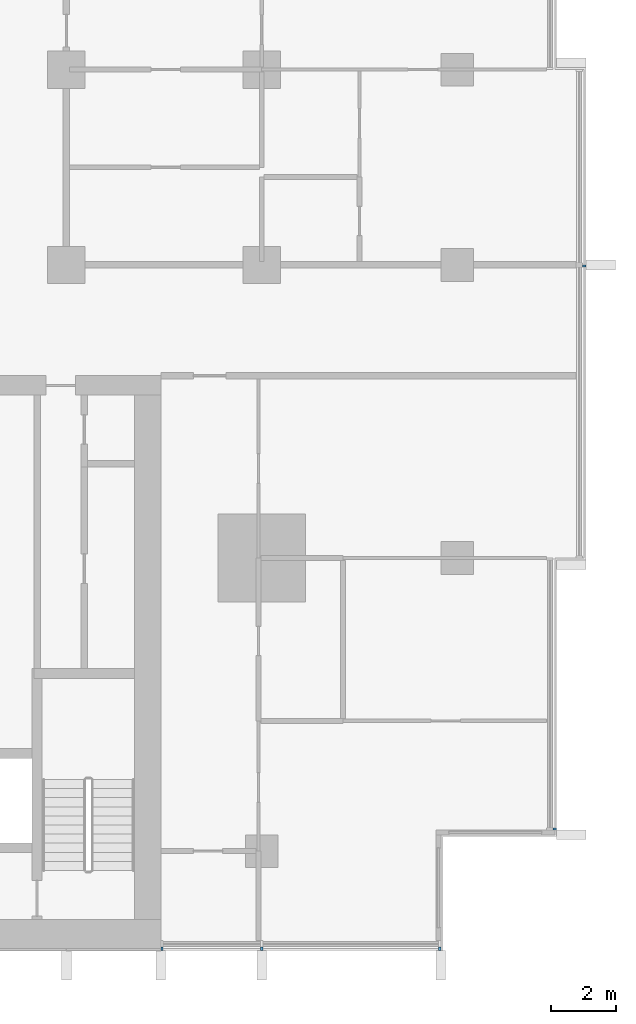
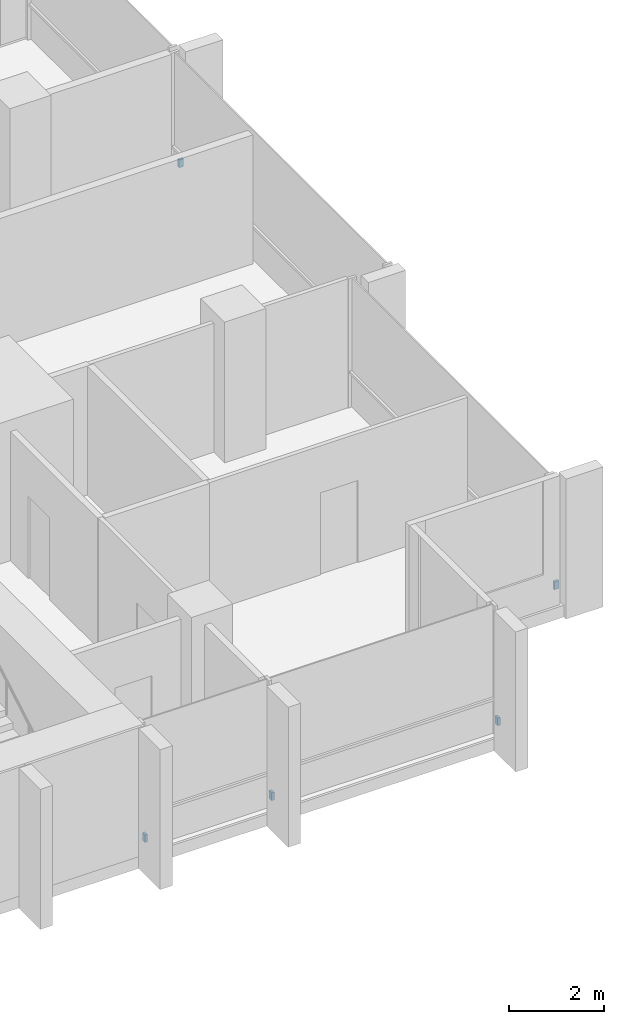
# One storey, part 14 of 17: 5 discrete accessories.
"""IFC4 building model written with IfcOpenShell, lengths in metres."""

from ifc_helpers import new_model, si_unit, direction, frame, origin, origin_2d, place, context, subcontext, project, spatial, rectangle, extrude, material, type_object, element, save


model = new_model("IFC4")

# Units and contexts
model_context = context("Model", 3, precision=1e-05, world=origin(), true_north=direction((0.0, 1.0)))
body_context = subcontext(model_context, "Body", "Model", "MODEL_VIEW")
ifc_project = project(units=[si_unit("LENGTHUNIT", "METRE"), si_unit("AREAUNIT", "SQUARE_METRE"), si_unit("VOLUMEUNIT", "CUBIC_METRE"), si_unit("PLANEANGLEUNIT", "RADIAN"), si_unit("MASSUNIT", "GRAM", prefix="KILO")], contexts=[model_context])

# Site, building, storey
site_placement = place(None, origin())
site = spatial("IfcSite", under=ifc_project, at=site_placement, CompositionType="ELEMENT")
building_placement = place(site_placement, origin())
building = spatial("IfcBuilding", under=site, at=building_placement, Name="Finial Court Residences", CompositionType="ELEMENT")
storey_placement = place(building_placement, frame((0.0, 0.0, 91.89990234375)))
storey = spatial("IfcBuildingStorey", under=building, at=storey_placement, Name="L22", CompositionType="ELEMENT", Elevation=91.89990234375)

# Discrete accessories
ifc_material = material(Name="Stainless steel 316", Category="steel")
discrete_accessory_type = type_object("IfcDiscreteAccessoryType", Name="Fin bracket, stainless steel 65 x 110 x 200", PredefinedType="BRACKET", material=ifc_material)
for number, where, z_axis, x_axis, name in (
    (1, (25.5048828125, -21.8173828125, 0.30029296875), (0.0, 0.0, 1.0), (1.0, 0.0, 0.0), "E-L22-FIN-E9-BRK"),
    (2, (26.405029296875, -4.532470703125, 0.30029296875), (0.0, 0.0, 1.0), (1.0, 0.0, 0.0), "E-L22-FIN-E11-BRK"),
):
    element("IfcDiscreteAccessory", number, at=place(storey_placement, frame(where, z_axis=z_axis, x_axis=x_axis)), inside=storey, type_object=discrete_accessory_type, Name=name, PredefinedType="BRACKET", context=body_context, shape_type="SweptSolid", body=[
        extrude(rectangle(XDim=0.110107421875, YDim=0.06494140625, at=origin_2d()), origin(), (0.0, 0.0, 1.0), 0.199951171875),
    ])
for number, where, z_axis, x_axis, name in (
    (3, (13.4326171875, -25.5048828125, 0.30029296875), (0.0, 0.0, 1.0), (1.0, 0.0, 0.0), "E-L22-FIN-S23-BRK"),
    (4, (16.5, -25.5048828125, 0.30029296875), (0.0, 0.0, 1.0), (1.0, 0.0, 0.0), "E-L22-FIN-S24-BRK"),
    (5, (21.967529296875, -25.5048828125, 0.30029296875), (0.0, 0.0, 1.0), (1.0, 0.0, 0.0), "E-L22-FIN-S25-BRK"),
):
    element("IfcDiscreteAccessory", number, at=place(storey_placement, frame(where, z_axis=z_axis, x_axis=x_axis)), inside=storey, type_object=discrete_accessory_type, Name=name, PredefinedType="BRACKET", context=body_context, shape_type="SweptSolid", body=[
        extrude(rectangle(XDim=0.06494140625, YDim=0.110107421875, at=origin_2d()), origin(), (0.0, 0.0, 1.0), 0.199951171875),
    ])

save(model, "model.ifc")
